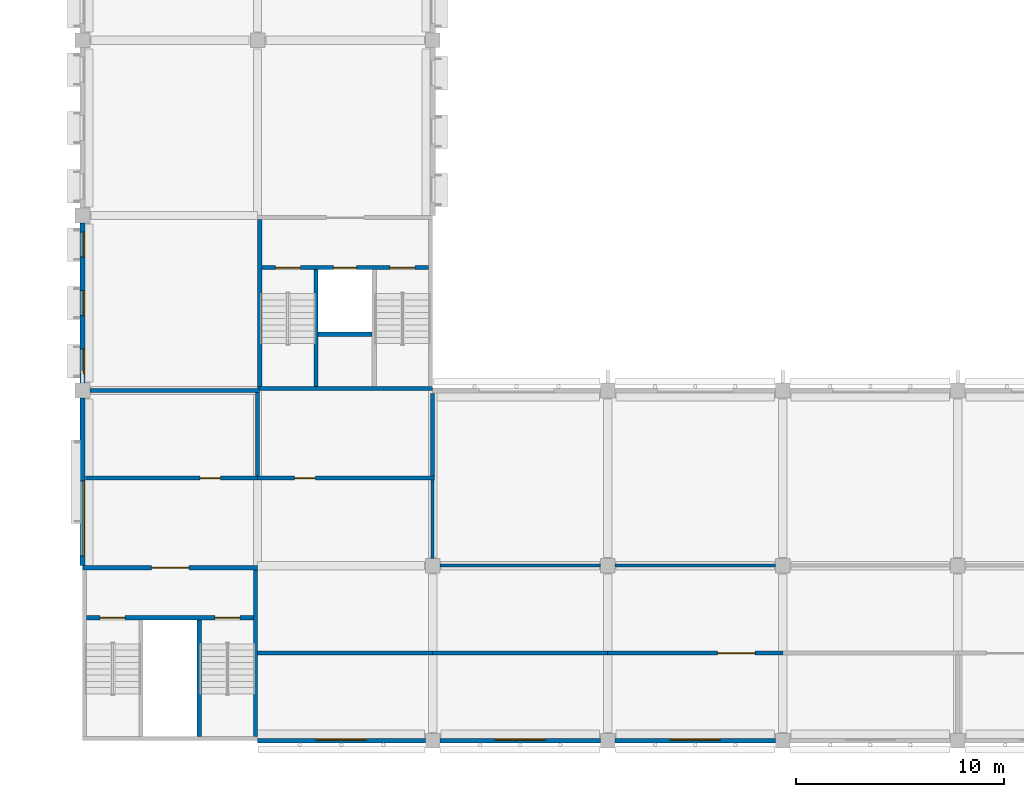
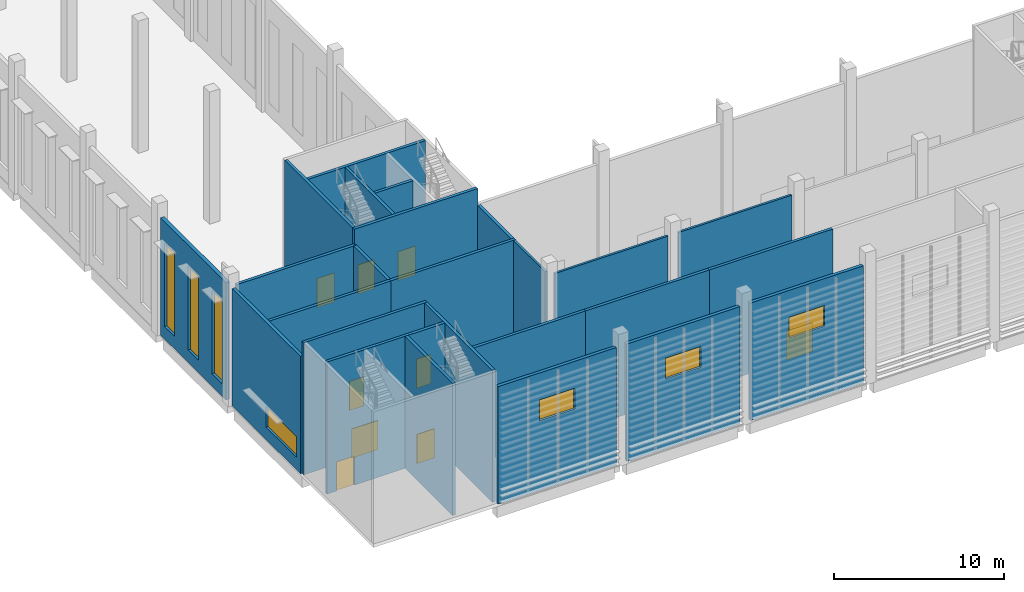
# One storey, part 40 of 114: 25 walls, 9 doors, 7 windows, 16 openings.
"""IFC4 building model written with IfcOpenShell, lengths in metres."""

from ifc_helpers import new_model, si_unit, direction, frame, frame_2d, origin, place, context, subcontext, project, spatial, rectangle, extrude, material, layer, layer_set, type_object, element, fill, save


model = new_model("IFC4")

# Units and contexts
model_context = context("Model", 3, precision=1e-05, world=origin(), true_north=direction((0.0, 1.0)))
body_context = subcontext(model_context, "Body", "Model", "MODEL_VIEW")
ifc_project = project(units=[si_unit("LENGTHUNIT", "METRE"), si_unit("AREAUNIT", "SQUARE_METRE"), si_unit("VOLUMEUNIT", "CUBIC_METRE"), si_unit("PLANEANGLEUNIT", "RADIAN"), si_unit("MASSUNIT", "GRAM", prefix="KILO")], contexts=[model_context])

# Site, building, storey
site_placement = place(None, origin())
site = spatial("IfcSite", under=ifc_project, at=site_placement, CompositionType="ELEMENT")
building_placement = place(site_placement, origin())
building = spatial("IfcBuilding", under=site, at=building_placement, Name="Almond Square Museum", CompositionType="ELEMENT")
storey_placement = place(building_placement, frame((0.0, 0.0, 10.5)))
storey = spatial("IfcBuildingStorey", under=building, at=storey_placement, Name="L02", CompositionType="ELEMENT", Elevation=10.5)

# Walls
ifc_material_1 = material(Name="Concrete blockwork 200", Category="masonry")
ifc_layer_1 = layer(ifc_material_1, 0.199951171875)
ifc_layer_set_1 = layer_set([ifc_layer_1], Name="Concrete blockwork 200")
wall_type_1 = type_object("IfcWallType", Name="Fire partition 200 blockwork", PredefinedType="PARTITIONING", material=ifc_layer_set_1)
wall_1_placement = place(storey_placement, frame((6.35009765625, 16.800048828125, 0.0), z_axis=(0.0, 0.0, 1.0), x_axis=(1.0, 0.0, 0.0)))
element("IfcWall", 1, at=wall_1_placement, inside=storey, type_object=wall_type_1, Name="L02 partition 16", PredefinedType="PARTITIONING", context=body_context, shape_type="SweptSolid", body=[
    extrude(rectangle(XDim=8.14990234375, YDim=0.199951171875, at=frame_2d((4.074951171875, 0.0))), origin(), (0.0, 0.0, 1.0), 8.39990234375),
])
wall_2_placement = place(storey_placement, frame((14.39990234375, 12.699951171875, 0.0), z_axis=(0.0, 0.0, 1.0), x_axis=(0.0, 1.0, 0.0)))
element("IfcWall", 2, at=wall_2_placement, inside=storey, type_object=wall_type_1, Name="L02 partition 24", PredefinedType="PARTITIONING", context=body_context, shape_type="SweptSolid", body=[
    extrude(rectangle(XDim=4.0, YDim=0.199951171875, at=frame_2d((2.0, 0.0))), origin(), (0.0, 0.0, 1.0), 8.39990234375),
])
wall_3_placement = place(storey_placement, frame((22.800048828125, 12.699951171875, 0.0), z_axis=(0.0, 0.0, 1.0), x_axis=(0.0, 1.0, 0.0)))
element("IfcWall", 3, at=wall_3_placement, inside=storey, type_object=wall_type_1, Name="L02 partition 25", PredefinedType="PARTITIONING", context=body_context, shape_type="SweptSolid", body=[
    extrude(rectangle(XDim=3.949951171875, YDim=0.199951171875, at=frame_2d((1.97509765625, 0.0))), origin(), (0.0, 0.0, 1.0), 8.39990234375),
])

# Wall, opening, door
wall_4_placement = place(storey_placement, frame((6.14990234375, 12.60009765625, 0.0), z_axis=(0.0, 0.0, 1.0), x_axis=(1.0, 0.0, 0.0)))
wall_4 = element("IfcWall", 4, at=wall_4_placement, inside=storey, type_object=wall_type_1, Name="L02 partition 31", PredefinedType="PARTITIONING", context=body_context, shape_type="SweptSolid", body=[
    extrude(rectangle(XDim=8.25, YDim=0.199951171875, at=frame_2d((4.125, 0.0))), origin(), (0.0, 0.0, 1.0), 8.39990234375),
])
opening_1_placement = place(wall_4_placement, frame((5.47509765625, 0.0, 0.0)))
opening_1 = element("IfcOpeningElement", 5, at=opening_1_placement, cuts=wall_4, Name="Opening D2108", PredefinedType="OPENING", context=body_context, shape_type="SweptSolid", body=[
    extrude(rectangle(XDim=1.0, YDim=2.10009765625, at=frame_2d((0.5, 1.050048828125))), frame((0.0, 0.10986328125, 0.0), z_axis=(0.0, -1.0, 0.0), x_axis=(1.0, 0.0, 0.0)), (0.0, 0.0, 1.0), 0.219970703125),
])
ifc_material_2 = material(Name="Steel", Category="steel")
door_type_1 = type_object("IfcDoorType", Name="Fire door 1000 x 2100 FD60 single", OperationType="NOTDEFINED", PredefinedType="DOOR", material=ifc_material_2)
door_1_placement = place(opening_1_placement, origin())
door_1 = element("IfcDoor", 6, at=door_1_placement, inside=storey, type_object=door_type_1, Name="L02 door Cleaners' Store 2 to Service Corridor 2", OperationType="SINGLE_SWING_RIGHT", OverallHeight=2.10009765625, OverallWidth=1.0, PredefinedType="DOOR", context=body_context, shape_type="SweptSolid", body=[
    extrude(rectangle(XDim=1.0, YDim=2.10009765625, at=frame_2d((0.5, 1.050048828125))), frame((0.0, 0.02490234375, 0.0), z_axis=(0.0, -1.0, 0.0), x_axis=(1.0, 0.0, 0.0)), (0.0, 0.0, 1.0), 0.050048828125),
])
fill(opening_1, door_1)

wall_5_placement = place(storey_placement, frame((14.39990234375, 12.60009765625, 0.0), z_axis=(0.0, 0.0, 1.0), x_axis=(1.0, 0.0, 0.0)))
wall_5 = element("IfcWall", 7, at=wall_5_placement, inside=storey, type_object=wall_type_1, Name="L02 partition 32", PredefinedType="PARTITIONING", context=body_context, shape_type="SweptSolid", body=[
    extrude(rectangle(XDim=8.5, YDim=0.199951171875, at=frame_2d((4.25, 0.0))), origin(), (0.0, 0.0, 1.0), 8.39990234375),
])
opening_2_placement = place(wall_5_placement, frame((1.77490234375, 0.0, 0.0)))
opening_2 = element("IfcOpeningElement", 8, at=opening_2_placement, cuts=wall_5, Name="Opening D2106", PredefinedType="OPENING", context=body_context, shape_type="SweptSolid", body=[
    extrude(rectangle(XDim=1.0, YDim=2.10009765625, at=frame_2d((0.5, 1.050048828125))), frame((0.0, 0.10986328125, 0.0), z_axis=(0.0, -1.0, 0.0), x_axis=(1.0, 0.0, 0.0)), (0.0, 0.0, 1.0), 0.219970703125),
])
door_2_placement = place(opening_2_placement, origin())
door_2 = element("IfcDoor", 9, at=door_2_placement, inside=storey, type_object=door_type_1, Name="L02 door Electrical Room to Service Corridor 2", OperationType="SINGLE_SWING_LEFT", OverallHeight=2.10009765625, OverallWidth=1.0, PredefinedType="DOOR", context=body_context, shape_type="SweptSolid", body=[
    extrude(rectangle(XDim=1.0, YDim=2.10009765625, at=frame_2d((0.5, 1.050048828125))), frame((0.0, 0.02490234375, 0.0), z_axis=(0.0, -1.0, 0.0), x_axis=(1.0, 0.0, 0.0)), (0.0, 0.0, 1.0), 0.050048828125),
])
fill(opening_2, door_2)

# Walls
wall_6_placement = place(storey_placement, frame((14.39990234375, 4.199951171875, 0.0), z_axis=(0.0, 0.0, 1.0), x_axis=(1.0, 0.0, 0.0)))
element("IfcWall", 10, at=wall_6_placement, inside=storey, type_object=wall_type_1, Name="L02 partition 52", PredefinedType="PARTITIONING", context=body_context, shape_type="SweptSolid", body=[
    extrude(rectangle(XDim=8.400146484375, YDim=0.199951171875, at=frame_2d((4.2001953125, 0.0))), origin(), (0.0, 0.0, 1.0), 8.39990234375),
])
wall_7_placement = place(storey_placement, frame((22.800048828125, 4.199951171875, 0.0), z_axis=(0.0, 0.0, 1.0), x_axis=(1.0, 0.0, 0.0)))
element("IfcWall", 11, at=wall_7_placement, inside=storey, type_object=wall_type_1, Name="L02 partition 53", PredefinedType="PARTITIONING", context=body_context, shape_type="SweptSolid", body=[
    extrude(rectangle(XDim=8.39990234375, YDim=0.199951171875, at=frame_2d((4.199951171875, 0.0))), origin(), (0.0, 0.0, 1.0), 8.39990234375),
])

# Wall, opening, door
wall_8_placement = place(storey_placement, frame((31.199951171875, 4.199951171875, 0.0), z_axis=(0.0, 0.0, 1.0), x_axis=(1.0, 0.0, 0.0)))
wall_8 = element("IfcWall", 12, at=wall_8_placement, inside=storey, type_object=wall_type_1, Name="L02 partition 54", PredefinedType="PARTITIONING", context=body_context, shape_type="SweptSolid", body=[
    extrude(rectangle(XDim=8.400146484375, YDim=0.199951171875, at=frame_2d((4.2001953125, 0.0))), origin(), (0.0, 0.0, 1.0), 8.39990234375),
])
opening_3_placement = place(wall_8_placement, frame((5.27490234375, 0.0, 0.0)))
opening_3 = element("IfcOpeningElement", 13, at=opening_3_placement, cuts=wall_8, Name="Opening D2111", PredefinedType="OPENING", context=body_context, shape_type="SweptSolid", body=[
    extrude(rectangle(XDim=1.800048828125, YDim=2.10009765625, at=frame_2d((0.89990234375, 1.050048828125))), frame((0.0, 0.10986328125, 0.0), z_axis=(0.0, -1.0, 0.0), x_axis=(1.0, 0.0, 0.0)), (0.0, 0.0, 1.0), 0.219970703125),
])
ifc_material_3 = material(Name="Steel", Category="steel")
door_type_2 = type_object("IfcDoorType", Name="Fire door 1800 x 2100 FD60 double", OperationType="NOTDEFINED", PredefinedType="DOOR", material=ifc_material_3)
door_3_placement = place(opening_3_placement, origin())
door_3 = element("IfcDoor", 14, at=door_3_placement, inside=storey, type_object=door_type_2, Name="L02 door Air Handling Plant to Service Corridor 2", OperationType="DOUBLE_DOOR_SINGLE_SWING", OverallHeight=2.10009765625, OverallWidth=1.800048828125, PredefinedType="DOOR", context=body_context, shape_type="SweptSolid", body=[
    extrude(rectangle(XDim=1.800048828125, YDim=2.10009765625, at=frame_2d((0.89990234375, 1.050048828125))), frame((0.0, 0.02490234375, 0.0), z_axis=(0.0, -1.0, 0.0), x_axis=(1.0, 0.0, 0.0)), (0.0, 0.0, 1.0), 0.050048828125),
])
fill(opening_3, door_3)

# Walls
ifc_material_4 = material(Name="Plasterboard on steel stud", Category="steel")
ifc_layer_2 = layer(ifc_material_4, 0.14990234375)
ifc_layer_set_2 = layer_set([ifc_layer_2], Name="Plasterboard on steel stud")
wall_type_2 = type_object("IfcWallType", Name="Partition 150 plasterboard on steel stud", PredefinedType="PARTITIONING", material=ifc_layer_set_2)
wall_9_placement = place(storey_placement, frame((23.14990234375, 8.39990234375, 0.0), z_axis=(0.0, 0.0, 1.0), x_axis=(1.0, 0.0, 0.0)))
element("IfcWall", 15, at=wall_9_placement, inside=storey, type_object=wall_type_2, Name="L02 partition 33", PredefinedType="PARTITIONING", context=body_context, shape_type="SweptSolid", body=[
    extrude(rectangle(XDim=7.7001953125, YDim=0.14990234375, at=frame_2d((3.85009765625, 0.0))), origin(), (0.0, 0.0, 1.0), 8.39990234375),
])
wall_10_placement = place(storey_placement, frame((31.550048828125, 8.39990234375, 0.0), z_axis=(0.0, 0.0, 1.0), x_axis=(1.0, 0.0, 0.0)))
element("IfcWall", 16, at=wall_10_placement, inside=storey, type_object=wall_type_2, Name="L02 partition 34", PredefinedType="PARTITIONING", context=body_context, shape_type="SweptSolid", body=[
    extrude(rectangle(XDim=7.699951171875, YDim=0.14990234375, at=frame_2d((3.85009765625, 0.0))), origin(), (0.0, 0.0, 1.0), 8.39990234375),
])
wall_11_placement = place(storey_placement, frame((22.800048828125, 8.75, 0.0), z_axis=(0.0, 0.0, 1.0), x_axis=(0.0, 1.0, 0.0)))
element("IfcWall", 17, at=wall_11_placement, inside=storey, type_object=wall_type_2, Name="L02 partition 37", PredefinedType="PARTITIONING", context=body_context, shape_type="SweptSolid", body=[
    extrude(rectangle(XDim=3.75, YDim=0.14990234375, at=frame_2d((1.875, 0.0))), origin(), (0.0, 0.0, 1.0), 8.39990234375),
])

# Wall, openings, windows
ifc_material_5 = material(Name="Precast concrete C40/50", Category="concrete")
ifc_layer_3 = layer(ifc_material_5, 0.25)
ifc_layer_set_3 = layer_set([ifc_layer_3], Name="Precast concrete C40/50")
wall_type_3 = type_object("IfcWallType", Name="Precast concrete panel wall 250 with coral limestone piers", PredefinedType="SOLIDWALL", material=ifc_layer_set_3)
wall_12_placement = place(storey_placement, frame((6.0, 17.14990234375, 0.0), z_axis=(0.0, 0.0, 1.0), x_axis=(0.0, 1.0, 0.0)))
wall_12 = element("IfcWall", 18, at=wall_12_placement, inside=storey, type_object=wall_type_3, Name="External wall W2 V4W L02 W07", PredefinedType="SOLIDWALL", context=body_context, shape_type="SweptSolid", body=[
    extrude(rectangle(XDim=7.7001953125, YDim=0.25, at=frame_2d((3.85009765625, 0.0))), origin(), (0.0, 0.0, 1.0), 8.43994140625),
])
opening_4_placement = place(wall_12_placement, frame((0.449951171875, 0.0, 0.89990234375)))
opening_4 = element("IfcOpeningElement", 19, at=opening_4_placement, cuts=wall_12, Name="Opening W2071", PredefinedType="OPENING", context=body_context, shape_type="SweptSolid", body=[
    extrude(rectangle(XDim=1.199951171875, YDim=6.0, at=frame_2d((0.60009765625, 3.0))), frame((0.0, 0.135009765625, 0.0), z_axis=(0.0, -1.0, 0.0), x_axis=(1.0, 0.0, 0.0)), (0.0, 0.0, 1.0), 0.27001953125),
])
opening_5_placement = place(wall_12_placement, frame((3.25, 0.0, 0.89990234375)))
opening_5 = element("IfcOpeningElement", 20, at=opening_5_placement, cuts=wall_12, Name="Opening W2072", PredefinedType="OPENING", context=body_context, shape_type="SweptSolid", body=[
    extrude(rectangle(XDim=1.199951171875, YDim=6.0, at=frame_2d((0.60009765625, 3.0))), frame((0.0, 0.135009765625, 0.0), z_axis=(0.0, -1.0, 0.0), x_axis=(1.0, 0.0, 0.0)), (0.0, 0.0, 1.0), 0.27001953125),
])
opening_6_placement = place(wall_12_placement, frame((6.050048828125, 0.0, 0.89990234375)))
opening_6 = element("IfcOpeningElement", 21, at=opening_6_placement, cuts=wall_12, Name="Opening W2073", PredefinedType="OPENING", context=body_context, shape_type="SweptSolid", body=[
    extrude(rectangle(XDim=1.199951171875, YDim=6.0, at=frame_2d((0.60009765625, 3.0))), frame((0.0, 0.135009765625, 0.0), z_axis=(0.0, -1.0, 0.0), x_axis=(1.0, 0.0, 0.0)), (0.0, 0.0, 1.0), 0.27001953125),
])
ifc_material_6 = material(Name="Anodised aluminium louvre and laminated glass", Category="aluminium")
window_type_1 = type_object("IfcWindowType", Name="Tall louvred pier window", PartitioningType="SINGLE_PANEL", PredefinedType="WINDOW", material=ifc_material_6)
window_1_placement = place(opening_4_placement, origin())
window_1 = element("IfcWindow", 22, at=window_1_placement, inside=storey, type_object=window_type_1, Name="Tall louvred pier window W2071", OverallHeight=6.0, OverallWidth=1.199951171875, PartitioningType="SINGLE_PANEL", PredefinedType="WINDOW", context=body_context, shape_type="SweptSolid", body=[
    extrude(rectangle(XDim=1.199951171875, YDim=6.0, at=frame_2d((0.60009765625, 3.0))), frame((0.0, -0.044921875, 0.0), z_axis=(0.0, -1.0, 0.0), x_axis=(1.0, 0.0, 0.0)), (0.0, 0.0, 1.0), 0.06005859375),
])
fill(opening_4, window_1)
window_2_placement = place(opening_5_placement, origin())
window_2 = element("IfcWindow", 23, at=window_2_placement, inside=storey, type_object=window_type_1, Name="Tall louvred pier window W2072", OverallHeight=6.0, OverallWidth=1.199951171875, PartitioningType="SINGLE_PANEL", PredefinedType="WINDOW", context=body_context, shape_type="SweptSolid", body=[
    extrude(rectangle(XDim=1.199951171875, YDim=6.0, at=frame_2d((0.60009765625, 3.0))), frame((0.0, -0.044921875, 0.0), z_axis=(0.0, -1.0, 0.0), x_axis=(1.0, 0.0, 0.0)), (0.0, 0.0, 1.0), 0.06005859375),
])
fill(opening_5, window_2)
window_3_placement = place(opening_6_placement, origin())
window_3 = element("IfcWindow", 24, at=window_3_placement, inside=storey, type_object=window_type_1, Name="Tall louvred pier window W2073", OverallHeight=6.0, OverallWidth=1.199951171875, PartitioningType="SINGLE_PANEL", PredefinedType="WINDOW", context=body_context, shape_type="SweptSolid", body=[
    extrude(rectangle(XDim=1.199951171875, YDim=6.0, at=frame_2d((0.60009765625, 3.0))), frame((0.0, -0.044921875, 0.0), z_axis=(0.0, -1.0, 0.0), x_axis=(1.0, 0.0, 0.0)), (0.0, 0.0, 1.0), 0.06005859375),
])
fill(opening_6, window_3)

# Walls
ifc_material_7 = material(Name="Concrete C40/50", Category="concrete")
ifc_layer_4 = layer(ifc_material_7, 0.199951171875)
ifc_layer_set_4 = layer_set([ifc_layer_4], Name="Concrete C40/50")
wall_type_4 = type_object("IfcWallType", Name="RC shear wall 200 C40/50", PredefinedType="SHEAR", material=ifc_layer_set_4)
wall_13_placement = place(storey_placement, frame((14.39990234375, 16.89990234375, 0.0), z_axis=(0.0, 0.0, 1.0), x_axis=(1.0, 0.0, 0.0)))
element("IfcWall", 25, at=wall_13_placement, inside=storey, type_object=wall_type_4, Name="Core W1 south wall L02", PredefinedType="SHEAR", context=body_context, shape_type="SweptSolid", body=[
    extrude(rectangle(XDim=8.400146484375, YDim=0.199951171875, at=frame_2d((4.2001953125, 0.0))), origin(), (0.0, 0.0, 1.0), 9.5),
])
wall_14_placement = place(storey_placement, frame((14.5, 17.0, 0.0), z_axis=(0.0, 0.0, 1.0), x_axis=(0.0, 1.0, 0.0)))
element("IfcWall", 26, at=wall_14_placement, inside=storey, type_object=wall_type_4, Name="Core W1 west wall L02", PredefinedType="SHEAR", context=body_context, shape_type="SweptSolid", body=[
    extrude(rectangle(XDim=8.0, YDim=0.199951171875, at=frame_2d((4.0, 0.0))), origin(), (0.0, 0.0, 1.0), 9.5),
])

# Wall, openings, doors
wall_15_placement = place(storey_placement, frame((14.60009765625, 22.699951171875, 0.0), z_axis=(0.0, 0.0, 1.0), x_axis=(1.0, 0.0, 0.0)))
wall_15 = element("IfcWall", 27, at=wall_15_placement, inside=storey, type_object=wall_type_4, Name="Core W1 lobby wall L02", PredefinedType="SHEAR", context=body_context, shape_type="SweptSolid", body=[
    extrude(rectangle(XDim=8.0, YDim=0.199951171875, at=frame_2d((4.0, 0.0))), origin(), (0.0, 0.0, 1.0), 9.5),
])
opening_7_placement = place(wall_15_placement, frame((0.64990234375, 0.0, 0.0)))
opening_7 = element("IfcOpeningElement", 28, at=opening_7_placement, cuts=wall_15, Name="Opening D2156", PredefinedType="OPENING", context=body_context, shape_type="SweptSolid", body=[
    extrude(rectangle(XDim=1.199951171875, YDim=2.10009765625, at=frame_2d((0.60009765625, 1.050048828125))), frame((0.0, 0.10986328125, 0.0), z_axis=(0.0, -1.0, 0.0), x_axis=(1.0, 0.0, 0.0)), (0.0, 0.0, 1.0), 0.219970703125),
])
opening_8_placement = place(wall_15_placement, frame((6.14990234375, 0.0, 0.0)))
opening_8 = element("IfcOpeningElement", 29, at=opening_8_placement, cuts=wall_15, Name="Opening D2157", PredefinedType="OPENING", context=body_context, shape_type="SweptSolid", body=[
    extrude(rectangle(XDim=1.199951171875, YDim=2.10009765625, at=frame_2d((0.60009765625, 1.050048828125))), frame((0.0, 0.10986328125, 0.0), z_axis=(0.0, -1.0, 0.0), x_axis=(1.0, 0.0, 0.0)), (0.0, 0.0, 1.0), 0.219970703125),
])
opening_9_placement = place(wall_15_placement, frame((3.449951171875, 0.0, 0.0)))
opening_9 = element("IfcOpeningElement", 30, at=opening_9_placement, cuts=wall_15, Name="Opening D2158", PredefinedType="OPENING", context=body_context, shape_type="SweptSolid", body=[
    extrude(rectangle(XDim=1.10009765625, YDim=2.10009765625, at=frame_2d((0.550048828125, 1.050048828125))), frame((0.0, 0.10986328125, 0.0), z_axis=(0.0, -1.0, 0.0), x_axis=(1.0, 0.0, 0.0)), (0.0, 0.0, 1.0), 0.219970703125),
])
ifc_material_8 = material(Name="Steel", Category="steel")
door_type_3 = type_object("IfcDoorType", Name="Fire door 1200 x 2100 FD120 stair", OperationType="NOTDEFINED", PredefinedType="DOOR", material=ifc_material_8)
door_4_placement = place(opening_7_placement, origin())
door_4 = element("IfcDoor", 31, at=door_4_placement, inside=storey, type_object=door_type_3, Name="L02 stair W1-1 door", OperationType="SINGLE_SWING_LEFT", OverallHeight=2.10009765625, OverallWidth=1.199951171875, PredefinedType="DOOR", context=body_context, shape_type="SweptSolid", body=[
    extrude(rectangle(XDim=1.199951171875, YDim=2.10009765625, at=frame_2d((0.60009765625, 1.050048828125))), frame((0.0, 0.02490234375, 0.0), z_axis=(0.0, -1.0, 0.0), x_axis=(1.0, 0.0, 0.0)), (0.0, 0.0, 1.0), 0.050048828125),
])
fill(opening_7, door_4)
door_5_placement = place(opening_8_placement, origin())
door_5 = element("IfcDoor", 32, at=door_5_placement, inside=storey, type_object=door_type_3, Name="L02 stair W1-2 door", OperationType="SINGLE_SWING_RIGHT", OverallHeight=2.10009765625, OverallWidth=1.199951171875, PredefinedType="DOOR", context=body_context, shape_type="SweptSolid", body=[
    extrude(rectangle(XDim=1.199951171875, YDim=2.10009765625, at=frame_2d((0.60009765625, 1.050048828125))), frame((0.0, 0.02490234375, 0.0), z_axis=(0.0, -1.0, 0.0), x_axis=(1.0, 0.0, 0.0)), (0.0, 0.0, 1.0), 0.050048828125),
])
fill(opening_8, door_5)
ifc_material_9 = material(Name="Stainless steel", Category="steel")
door_type_4 = type_object("IfcDoorType", Name="Lift landing door 1100 x 2100", OperationType="NOTDEFINED", PredefinedType="DOOR", material=ifc_material_9)
door_6_placement = place(opening_9_placement, origin())
door_6 = element("IfcDoor", 33, at=door_6_placement, inside=storey, type_object=door_type_4, Name="L02 lift PL-W1 landing door", OperationType="DOUBLE_DOOR_SLIDING", OverallHeight=2.10009765625, OverallWidth=1.10009765625, PredefinedType="DOOR", context=body_context, shape_type="SweptSolid", body=[
    extrude(rectangle(XDim=1.10009765625, YDim=2.10009765625, at=frame_2d((0.550048828125, 1.050048828125))), frame((0.0, 0.02490234375, 0.0), z_axis=(0.0, -1.0, 0.0), x_axis=(1.0, 0.0, 0.0)), (0.0, 0.0, 1.0), 0.050048828125),
])
fill(opening_9, door_6)

# Walls
wall_16_placement = place(storey_placement, frame((17.199951171875, 17.0, 0.0), z_axis=(0.0, 0.0, 1.0), x_axis=(0.0, 1.0, 0.0)))
element("IfcWall", 34, at=wall_16_placement, inside=storey, type_object=wall_type_4, Name="Core W1 partition wall L02", PredefinedType="SHEAR", context=body_context, shape_type="SweptSolid", body=[
    extrude(rectangle(XDim=5.60009765625, YDim=0.199951171875, at=frame_2d((2.800048828125, 0.0))), origin(), (0.0, 0.0, 1.0), 9.5),
])
wall_17_placement = place(storey_placement, frame((17.300048828125, 19.5, 0.0), z_axis=(0.0, 0.0, 1.0), x_axis=(1.0, 0.0, 0.0)))
element("IfcWall", 35, at=wall_17_placement, inside=storey, type_object=wall_type_4, Name="Core W1 partition wall L02", PredefinedType="SHEAR", context=body_context, shape_type="SweptSolid", body=[
    extrude(rectangle(XDim=2.599853515625, YDim=0.199951171875, at=frame_2d((1.2998046875, 0.0))), origin(), (0.0, 0.0, 1.0), 9.5),
])

# Wall, opening, door
wall_18_placement = place(storey_placement, frame((6.0, 8.300048828125, 0.0), z_axis=(0.0, 0.0, 1.0), x_axis=(1.0, 0.0, 0.0)))
wall_18 = element("IfcWall", 36, at=wall_18_placement, inside=storey, type_object=wall_type_4, Name="Core S1 north wall L02", PredefinedType="SHEAR", context=body_context, shape_type="SweptSolid", body=[
    extrude(rectangle(XDim=8.39990234375, YDim=0.199951171875, at=frame_2d((4.199951171875, 0.0))), origin(), (0.0, 0.0, 1.0), 9.5),
])
opening_10_placement = place(wall_18_placement, frame((3.300048828125, 0.0, 0.0)))
opening_10 = element("IfcOpeningElement", 37, at=opening_10_placement, cuts=wall_18, Name="Opening D2166", PredefinedType="OPENING", context=body_context, shape_type="SweptSolid", body=[
    extrude(rectangle(XDim=1.800048828125, YDim=2.10009765625, at=frame_2d((0.89990234375, 1.050048828125))), frame((0.0, 0.10986328125, 0.0), z_axis=(0.0, -1.0, 0.0), x_axis=(1.0, 0.0, 0.0)), (0.0, 0.0, 1.0), 0.219970703125),
])
door_7_placement = place(opening_10_placement, origin())
door_7 = element("IfcDoor", 38, at=door_7_placement, inside=storey, type_object=door_type_2, Name="L02 stair core S1 lobby door", OperationType="DOUBLE_DOOR_SINGLE_SWING", OverallHeight=2.10009765625, OverallWidth=1.800048828125, PredefinedType="DOOR", context=body_context, shape_type="SweptSolid", body=[
    extrude(rectangle(XDim=1.800048828125, YDim=2.10009765625, at=frame_2d((0.89990234375, 1.050048828125))), frame((0.0, 0.02490234375, 0.0), z_axis=(0.0, -1.0, 0.0), x_axis=(1.0, 0.0, 0.0)), (0.0, 0.0, 1.0), 0.050048828125),
])
fill(opening_10, door_7)

# Wall
wall_19_placement = place(storey_placement, frame((14.300048828125, 0.199951171875, 0.0), z_axis=(0.0, 0.0, 1.0), x_axis=(0.0, 1.0, 0.0)))
element("IfcWall", 39, at=wall_19_placement, inside=storey, type_object=wall_type_4, Name="Core S1 east wall L02", PredefinedType="SHEAR", context=body_context, shape_type="SweptSolid", body=[
    extrude(rectangle(XDim=8.0, YDim=0.199951171875, at=frame_2d((4.0, 0.0))), origin(), (0.0, 0.0, 1.0), 9.5),
])

# Wall, openings, doors
wall_20_placement = place(storey_placement, frame((6.199951171875, 5.89990234375, 0.0), z_axis=(0.0, 0.0, 1.0), x_axis=(1.0, 0.0, 0.0)))
wall_20 = element("IfcWall", 40, at=wall_20_placement, inside=storey, type_object=wall_type_4, Name="Core S1 lobby wall L02", PredefinedType="SHEAR", context=body_context, shape_type="SweptSolid", body=[
    extrude(rectangle(XDim=8.0, YDim=0.199951171875, at=frame_2d((4.0, 0.0))), origin(), (0.0, 0.0, 1.0), 9.5),
])
opening_11_placement = place(wall_20_placement, frame((0.64990234375, 0.0, 0.0)))
opening_11 = element("IfcOpeningElement", 41, at=opening_11_placement, cuts=wall_20, Name="Opening D2167", PredefinedType="OPENING", context=body_context, shape_type="SweptSolid", body=[
    extrude(rectangle(XDim=1.199951171875, YDim=2.10009765625, at=frame_2d((0.60009765625, 1.050048828125))), frame((0.0, 0.10986328125, 0.0), z_axis=(0.0, -1.0, 0.0), x_axis=(1.0, 0.0, 0.0)), (0.0, 0.0, 1.0), 0.219970703125),
])
opening_12_placement = place(wall_20_placement, frame((6.14990234375, 0.0, 0.0)))
opening_12 = element("IfcOpeningElement", 42, at=opening_12_placement, cuts=wall_20, Name="Opening D2168", PredefinedType="OPENING", context=body_context, shape_type="SweptSolid", body=[
    extrude(rectangle(XDim=1.199951171875, YDim=2.10009765625, at=frame_2d((0.60009765625, 1.050048828125))), frame((0.0, 0.10986328125, 0.0), z_axis=(0.0, -1.0, 0.0), x_axis=(1.0, 0.0, 0.0)), (0.0, 0.0, 1.0), 0.219970703125),
])
door_8_placement = place(opening_11_placement, origin())
door_8 = element("IfcDoor", 43, at=door_8_placement, inside=storey, type_object=door_type_3, Name="L02 stair S1-1 door", OperationType="SINGLE_SWING_LEFT", OverallHeight=2.10009765625, OverallWidth=1.199951171875, PredefinedType="DOOR", context=body_context, shape_type="SweptSolid", body=[
    extrude(rectangle(XDim=1.199951171875, YDim=2.10009765625, at=frame_2d((0.60009765625, 1.050048828125))), frame((0.0, 0.02490234375, 0.0), z_axis=(0.0, -1.0, 0.0), x_axis=(1.0, 0.0, 0.0)), (0.0, 0.0, 1.0), 0.050048828125),
])
fill(opening_11, door_8)
door_9_placement = place(opening_12_placement, origin())
door_9 = element("IfcDoor", 44, at=door_9_placement, inside=storey, type_object=door_type_3, Name="L02 stair S1-2 door", OperationType="SINGLE_SWING_RIGHT", OverallHeight=2.10009765625, OverallWidth=1.199951171875, PredefinedType="DOOR", context=body_context, shape_type="SweptSolid", body=[
    extrude(rectangle(XDim=1.199951171875, YDim=2.10009765625, at=frame_2d((0.60009765625, 1.050048828125))), frame((0.0, 0.02490234375, 0.0), z_axis=(0.0, -1.0, 0.0), x_axis=(1.0, 0.0, 0.0)), (0.0, 0.0, 1.0), 0.050048828125),
])
fill(opening_12, door_9)

# Wall
wall_21_placement = place(storey_placement, frame((11.60009765625, 0.199951171875, 0.0), z_axis=(0.0, 0.0, 1.0), x_axis=(0.0, 1.0, 0.0)))
element("IfcWall", 45, at=wall_21_placement, inside=storey, type_object=wall_type_4, Name="Core S1 partition wall L02", PredefinedType="SHEAR", context=body_context, shape_type="SweptSolid", body=[
    extrude(rectangle(XDim=5.60009765625, YDim=0.199951171875, at=frame_2d((2.800048828125, 0.0))), origin(), (0.0, 0.0, 1.0), 9.5),
])

# Wall, opening, window
ifc_material_10 = material(Name="Concrete C30/37", Category="concrete")
ifc_layer_5 = layer(ifc_material_10, 0.219970703125)
ifc_layer_set_5 = layer_set([ifc_layer_5], Name="Concrete C30/37")
wall_type_5 = type_object("IfcWallType", Name="Stucco panel wall 220 with insulation", PredefinedType="SOLIDWALL", material=ifc_layer_set_5)
wall_22_placement = place(storey_placement, frame((14.39990234375, 0.0, 0.0), z_axis=(0.0, 0.0, 1.0), x_axis=(1.0, 0.0, 0.0)))
wall_22 = element("IfcWall", 46, at=wall_22_placement, inside=storey, type_object=wall_type_5, Name="External wall W4 V5S L02 S01", PredefinedType="SOLIDWALL", context=body_context, shape_type="SweptSolid", body=[
    extrude(rectangle(XDim=8.050048828125, YDim=0.219970703125, at=frame_2d((4.02490234375, 0.0))), origin(), (0.0, 0.0, 1.0), 8.43994140625),
])
opening_13_placement = place(wall_22_placement, frame((2.824951171875, 0.0, 5.0)))
opening_13 = element("IfcOpeningElement", 47, at=opening_13_placement, cuts=wall_22, Name="Opening W2001", PredefinedType="OPENING", context=body_context, shape_type="SweptSolid", body=[
    extrude(rectangle(XDim=2.39990234375, YDim=1.5, at=frame_2d((1.199951171875, 0.75))), frame((0.0, 0.119873046875, 0.0), z_axis=(0.0, -1.0, 0.0), x_axis=(1.0, 0.0, 0.0)), (0.0, 0.0, 1.0), 0.239990234375),
])
ifc_material_11 = material(Name="Aluminium frame and laminated glass", Category="aluminium")
window_type_2 = type_object("IfcWindowType", Name="Tall studio clerestory window", PartitioningType="SINGLE_PANEL", PredefinedType="WINDOW", material=ifc_material_11)
window_4_placement = place(opening_13_placement, origin())
window_4 = element("IfcWindow", 48, at=window_4_placement, inside=storey, type_object=window_type_2, Name="Tall studio clerestory window W2001", OverallHeight=1.5, OverallWidth=2.39990234375, PartitioningType="SINGLE_PANEL", PredefinedType="WINDOW", context=body_context, shape_type="SweptSolid", body=[
    extrude(rectangle(XDim=2.39990234375, YDim=1.5, at=frame_2d((1.199951171875, 0.75))), frame((0.0, 0.090087890625, 0.0), z_axis=(0.0, -1.0, 0.0), x_axis=(1.0, 0.0, 0.0)), (0.0, 0.0, 1.0), 0.06005859375),
])
fill(opening_13, window_4)

wall_23_placement = place(storey_placement, frame((23.14990234375, 0.0, 0.0), z_axis=(0.0, 0.0, 1.0), x_axis=(1.0, 0.0, 0.0)))
wall_23 = element("IfcWall", 49, at=wall_23_placement, inside=storey, type_object=wall_type_5, Name="External wall W4 V5S L02 S02", PredefinedType="SOLIDWALL", context=body_context, shape_type="SweptSolid", body=[
    extrude(rectangle(XDim=7.7001953125, YDim=0.219970703125, at=frame_2d((3.85009765625, 0.0))), origin(), (0.0, 0.0, 1.0), 8.43994140625),
])
opening_14_placement = place(wall_23_placement, frame((2.64990234375, 0.0, 5.0)))
opening_14 = element("IfcOpeningElement", 50, at=opening_14_placement, cuts=wall_23, Name="Opening W2002", PredefinedType="OPENING", context=body_context, shape_type="SweptSolid", body=[
    extrude(rectangle(XDim=2.39990234375, YDim=1.5, at=frame_2d((1.199951171875, 0.75))), frame((0.0, 0.119873046875, 0.0), z_axis=(0.0, -1.0, 0.0), x_axis=(1.0, 0.0, 0.0)), (0.0, 0.0, 1.0), 0.239990234375),
])
window_5_placement = place(opening_14_placement, origin())
window_5 = element("IfcWindow", 51, at=window_5_placement, inside=storey, type_object=window_type_2, Name="Tall studio clerestory window W2002", OverallHeight=1.5, OverallWidth=2.39990234375, PartitioningType="SINGLE_PANEL", PredefinedType="WINDOW", context=body_context, shape_type="SweptSolid", body=[
    extrude(rectangle(XDim=2.39990234375, YDim=1.5, at=frame_2d((1.199951171875, 0.75))), frame((0.0, 0.090087890625, 0.0), z_axis=(0.0, -1.0, 0.0), x_axis=(1.0, 0.0, 0.0)), (0.0, 0.0, 1.0), 0.06005859375),
])
fill(opening_14, window_5)

wall_24_placement = place(storey_placement, frame((31.550048828125, 0.0, 0.0), z_axis=(0.0, 0.0, 1.0), x_axis=(1.0, 0.0, 0.0)))
wall_24 = element("IfcWall", 52, at=wall_24_placement, inside=storey, type_object=wall_type_5, Name="External wall W4 V5S L02 S03", PredefinedType="SOLIDWALL", context=body_context, shape_type="SweptSolid", body=[
    extrude(rectangle(XDim=7.699951171875, YDim=0.219970703125, at=frame_2d((3.85009765625, 0.0))), origin(), (0.0, 0.0, 1.0), 8.43994140625),
])
opening_15_placement = place(wall_24_placement, frame((2.64990234375, 0.0, 5.0)))
opening_15 = element("IfcOpeningElement", 53, at=opening_15_placement, cuts=wall_24, Name="Opening W2003", PredefinedType="OPENING", context=body_context, shape_type="SweptSolid", body=[
    extrude(rectangle(XDim=2.39990234375, YDim=1.5, at=frame_2d((1.199951171875, 0.75))), frame((0.0, 0.119873046875, 0.0), z_axis=(0.0, -1.0, 0.0), x_axis=(1.0, 0.0, 0.0)), (0.0, 0.0, 1.0), 0.239990234375),
])
window_6_placement = place(opening_15_placement, origin())
window_6 = element("IfcWindow", 54, at=window_6_placement, inside=storey, type_object=window_type_2, Name="Tall studio clerestory window W2003", OverallHeight=1.5, OverallWidth=2.39990234375, PartitioningType="SINGLE_PANEL", PredefinedType="WINDOW", context=body_context, shape_type="SweptSolid", body=[
    extrude(rectangle(XDim=2.39990234375, YDim=1.5, at=frame_2d((1.199951171875, 0.75))), frame((0.0, 0.090087890625, 0.0), z_axis=(0.0, -1.0, 0.0), x_axis=(1.0, 0.0, 0.0)), (0.0, 0.0, 1.0), 0.06005859375),
])
fill(opening_15, window_6)

wall_25_placement = place(storey_placement, frame((6.0, 8.39990234375, 0.0), z_axis=(0.0, 0.0, 1.0), x_axis=(0.0, 1.0, 0.0)))
wall_25 = element("IfcWall", 55, at=wall_25_placement, inside=storey, type_object=wall_type_5, Name="External wall W4 V5S L02 W01", PredefinedType="SOLIDWALL", context=body_context, shape_type="SweptSolid", body=[
    extrude(rectangle(XDim=8.050048828125, YDim=0.219970703125, at=frame_2d((4.02490234375, 0.0))), origin(), (0.0, 0.0, 1.0), 8.43994140625),
])
opening_16_placement = place(wall_25_placement, frame((0.449951171875, 0.0, 0.89990234375)))
opening_16 = element("IfcOpeningElement", 56, at=opening_16_placement, cuts=wall_25, Name="Opening W2074", PredefinedType="OPENING", context=body_context, shape_type="SweptSolid", body=[
    extrude(rectangle(XDim=3.60009765625, YDim=1.5, at=frame_2d((1.800048828125, 0.75))), frame((0.0, 0.119873046875, 0.0), z_axis=(0.0, -1.0, 0.0), x_axis=(1.0, 0.0, 0.0)), (0.0, 0.0, 1.0), 0.239990234375),
])
ifc_material_12 = material(Name="Aluminium frame and laminated glass", Category="aluminium")
window_type_3 = type_object("IfcWindowType", Name="Office ribbon window", PartitioningType="SINGLE_PANEL", PredefinedType="WINDOW", material=ifc_material_12)
window_7_placement = place(opening_16_placement, origin())
window_7 = element("IfcWindow", 57, at=window_7_placement, inside=storey, type_object=window_type_3, Name="Office ribbon window W2074", OverallHeight=1.5, OverallWidth=3.60009765625, PartitioningType="DOUBLE_PANEL_VERTICAL", PredefinedType="WINDOW", context=body_context, shape_type="SweptSolid", body=[
    extrude(rectangle(XDim=3.60009765625, YDim=1.5, at=frame_2d((1.800048828125, 0.75))), frame((0.0, -0.030029296875, 0.0), z_axis=(0.0, -1.0, 0.0), x_axis=(1.0, 0.0, 0.0)), (0.0, 0.0, 1.0), 0.06005859375),
])
fill(opening_16, window_7)

save(model, "model.ifc")
